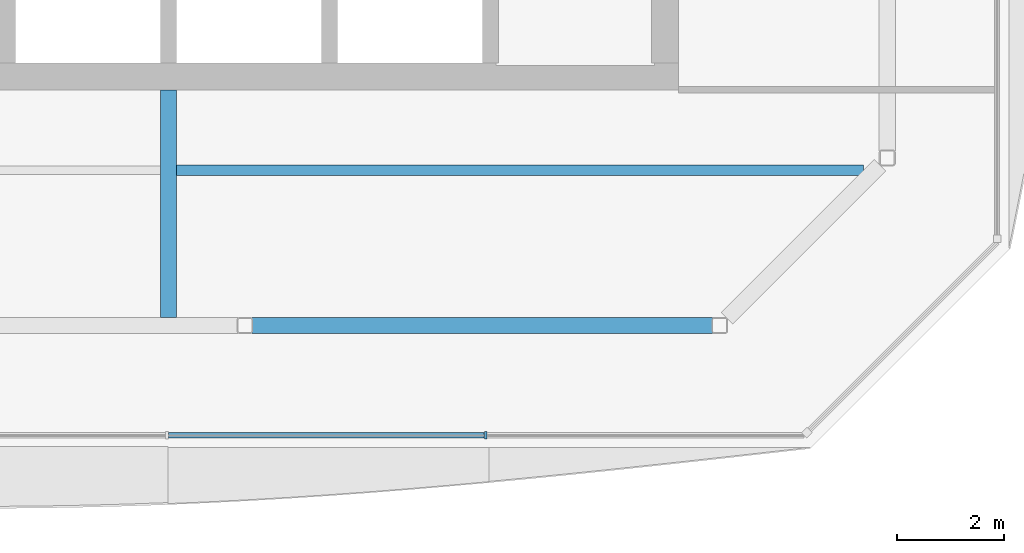
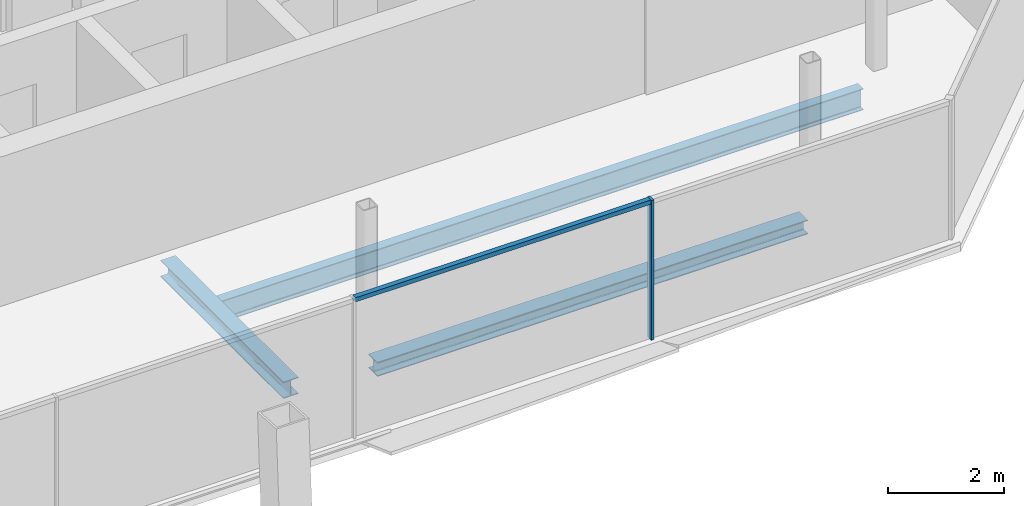
# One storey, part 5 of 17: 3 beams, 2 members, 1 element without a shape of its own.
"""IFC4 building model written with IfcOpenShell, lengths in metres."""

from ifc_helpers import new_model, si_unit, direction, frame, origin, origin_2d, place, context, subcontext, project, spatial, rectangle, i_section, extrude, material, material_profile, profile_set, type_object, element, aggregate, save


model = new_model("IFC4")

# Units and contexts
model_context = context("Model", 3, precision=1e-05, world=origin(), true_north=direction((0.0, 1.0)))
body_context = subcontext(model_context, "Body", "Model", "MODEL_VIEW")
ifc_project = project(units=[si_unit("LENGTHUNIT", "METRE"), si_unit("AREAUNIT", "SQUARE_METRE"), si_unit("VOLUMEUNIT", "CUBIC_METRE"), si_unit("PLANEANGLEUNIT", "RADIAN"), si_unit("MASSUNIT", "GRAM", prefix="KILO")], contexts=[model_context])

# Site, building, storey
site_placement = place(None, origin())
site = spatial("IfcSite", under=ifc_project, at=site_placement, CompositionType="ELEMENT")
building_placement = place(site_placement, origin())
building = spatial("IfcBuilding", under=site, at=building_placement, Name="Tskaro Facet Tower", CompositionType="ELEMENT")
storey_placement = place(building_placement, frame((0.0, 0.0, 229.800048828125)))
storey = spatial("IfcBuildingStorey", under=building, at=storey_placement, Name="L59", CompositionType="ELEMENT", Elevation=229.800048828125)

# Curtain wall, members
ifc_material_1 = material(Name="Bronze anodised aluminium 6063-T6", Category="aluminium")
curtain_wall_type = type_object("IfcCurtainWallType", Name="Bronze residence curtain wall (FW3)", PredefinedType="NOTDEFINED", material=ifc_material_1)
curtain_wall_placement = place(storey_placement, origin())
curtain_wall = element("IfcCurtainWall", 1, at=curtain_wall_placement, inside=storey, type_object=curtain_wall_type, Name="FW3 south facet L59", PredefinedType="NOTDEFINED")
ifc_material_profile_1 = material_profile(ifc_material_1, rectangle(XDim=0.050048828125, YDim=0.139892578125, at=origin_2d()), Name="Mullion 50x140")
ifc_profile_set_1 = profile_set([ifc_material_profile_1], Name="Bronze anodised aluminium 6063-T6")
member_type_1 = type_object("IfcMemberType", Name="FW3 bronze mullion 50x140", PredefinedType="MULLION", material=ifc_profile_set_1)
member_1_placement = place(storey_placement, frame((5.906494140625, -18.43701171875, 0.0), z_axis=(0.0, 0.0, 1.0), x_axis=(1.0, 0.0, 0.0)))
member_1 = element("IfcMember", 2, at=member_1_placement, type_object=member_type_1, Name="FW3 south mullion 4", PredefinedType="MULLION", context=body_context, shape_type="SweptSolid", body=[
    extrude(rectangle(XDim=0.050048828125, YDim=0.139892578125, at=origin_2d()), origin(), (0.0, 0.0, 1.0), 2.949951171875),
])
ifc_material_profile_2 = material_profile(ifc_material_1, rectangle(XDim=0.10009765625, YDim=0.090087890625, at=origin_2d()), Name="Transom 100x90")
ifc_profile_set_2 = profile_set([ifc_material_profile_2], Name="Bronze anodised aluminium 6063-T6")
member_type_2 = type_object("IfcMemberType", Name="FW3 bronze transom 100x90", PredefinedType="USERDEFINED", material=ifc_profile_set_2)
member_2_placement = place(storey_placement, frame((-0.006103515625, -18.43701171875, 2.905029296875), z_axis=(1.0, 0.0, 0.0), x_axis=(0.0, 1.0, 0.0)))
member_2 = element("IfcMember", 3, at=member_2_placement, type_object=member_type_2, Name="FW3 south transom 4.1", ObjectType="TRANSOM", PredefinedType="USERDEFINED", context=body_context, shape_type="SweptSolid", body=[
    extrude(rectangle(XDim=0.10009765625, YDim=0.090087890625, at=origin_2d()), origin(), (0.0, 0.0, 1.0), 5.887451171875),
])
aggregate(curtain_wall, [member_1, member_2])

# Beams
ifc_material_2 = material(Name="Steel S355J2", Category="steel")
ifc_material_profile_3 = material_profile(ifc_material_2, i_section(OverallWidth=0.300048828125, OverallDepth=0.300048828125, WebThickness=0.010986328125, FlangeThickness=0.01904296875, FilletRadius=0.027099609375, at=origin_2d()), Name="HE 300 B")
ifc_profile_set_3 = profile_set([ifc_material_profile_3], Name="Steel S355J2")
beam_type_1 = type_object("IfcBeamType", Name="HE 300 B ring beam", PredefinedType="BEAM", material=ifc_profile_set_3)
beam_1_placement = place(storey_placement, frame((1.552978515625, -16.39111328125, -0.2900390625), z_axis=(1.0, 0.0, 0.0), x_axis=(0.0, 1.0, 0.0)))
element("IfcBeam", 4, at=beam_1_placement, inside=storey, type_object=beam_type_1, Name="HE 300 B EB3-5", PredefinedType="BEAM", context=body_context, shape_type="SweptSolid", body=[
    extrude(i_section(OverallWidth=0.300048828125, OverallDepth=0.300048828125, WebThickness=0.010986328125, FlangeThickness=0.01904296875, FilletRadius=0.027099609375, at=origin_2d()), origin(), (0.0, 0.0, 1.0), 8.5849609375),
])
ifc_material_profile_4 = material_profile(ifc_material_2, i_section(OverallWidth=0.300048828125, OverallDepth=0.35009765625, WebThickness=0.010009765625, FlangeThickness=0.017578125, FilletRadius=0.027099609375, at=origin_2d()), Name="HE 360 A")
ifc_profile_set_4 = profile_set([ifc_material_profile_4], Name="Steel S355J2")
beam_type_2 = type_object("IfcBeamType", Name="HE 360 A girder", PredefinedType="BEAM", material=ifc_profile_set_4)
beam_2_placement = place(storey_placement, frame((0.0, -16.240966796875, -0.31494140625), z_axis=(0.0, 1.0, 0.0), x_axis=(-1.0, 0.0, 0.0)))
element("IfcBeam", 5, at=beam_2_placement, inside=storey, type_object=beam_type_2, Name="HE 360 A GB4-1-5", PredefinedType="BEAM", context=body_context, shape_type="SweptSolid", body=[
    extrude(i_section(OverallWidth=0.300048828125, OverallDepth=0.35009765625, WebThickness=0.010009765625, FlangeThickness=0.017578125, FilletRadius=0.027099609375, at=origin_2d()), origin(), (0.0, 0.0, 1.0), 4.240966796875),
])
ifc_material_profile_5 = material_profile(ifc_material_2, i_section(OverallWidth=0.18994140625, OverallDepth=0.449951171875, WebThickness=0.009521484375, FlangeThickness=0.0146484375, FilletRadius=0.02099609375, at=origin_2d()), Name="IPE 450")
ifc_profile_set_5 = profile_set([ifc_material_profile_5], Name="Steel S355J2")
beam_type_3 = type_object("IfcBeamType", Name="IPE 450 long secondary beam", PredefinedType="BEAM", material=ifc_profile_set_5)
beam_3_placement = place(storey_placement, frame((0.14990234375, -13.5, -0.364990234375), z_axis=(1.0, 0.0, 0.0), x_axis=(0.0, 1.0, 0.0)))
element("IfcBeam", 6, at=beam_3_placement, inside=storey, type_object=beam_type_3, Name="IPE 450 LSB2a-3-5", PredefinedType="BEAM", context=body_context, shape_type="SweptSolid", body=[
    extrude(i_section(OverallWidth=0.18994140625, OverallDepth=0.449951171875, WebThickness=0.009521484375, FlangeThickness=0.0146484375, FilletRadius=0.02099609375, at=origin_2d()), origin(), (0.0, 0.0, 1.0), 12.797119140625),
])

save(model, "model.ifc")
